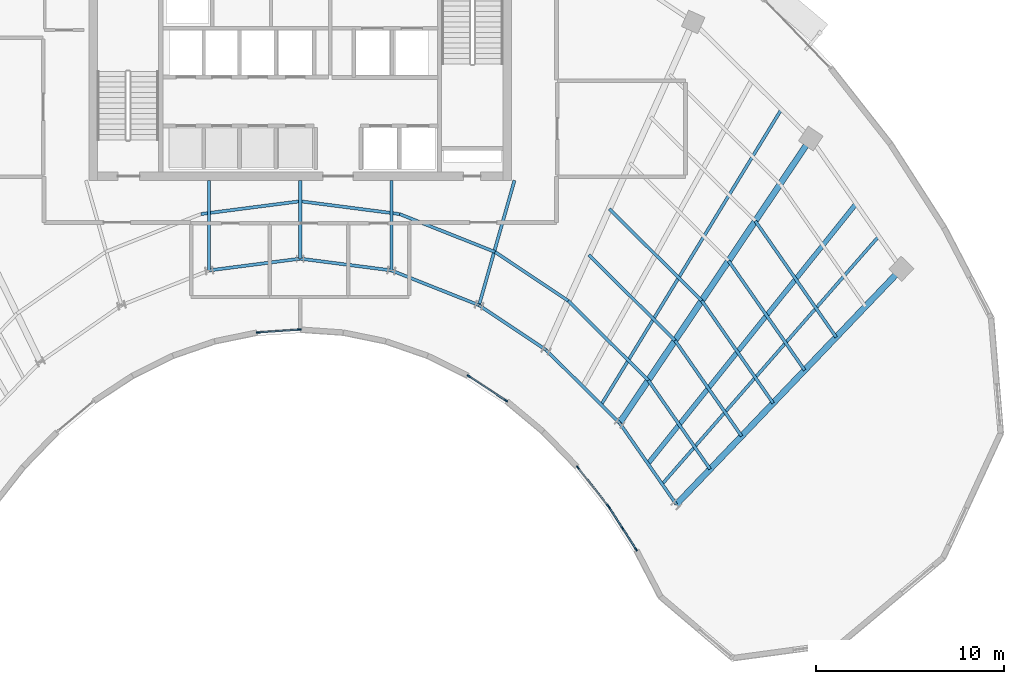
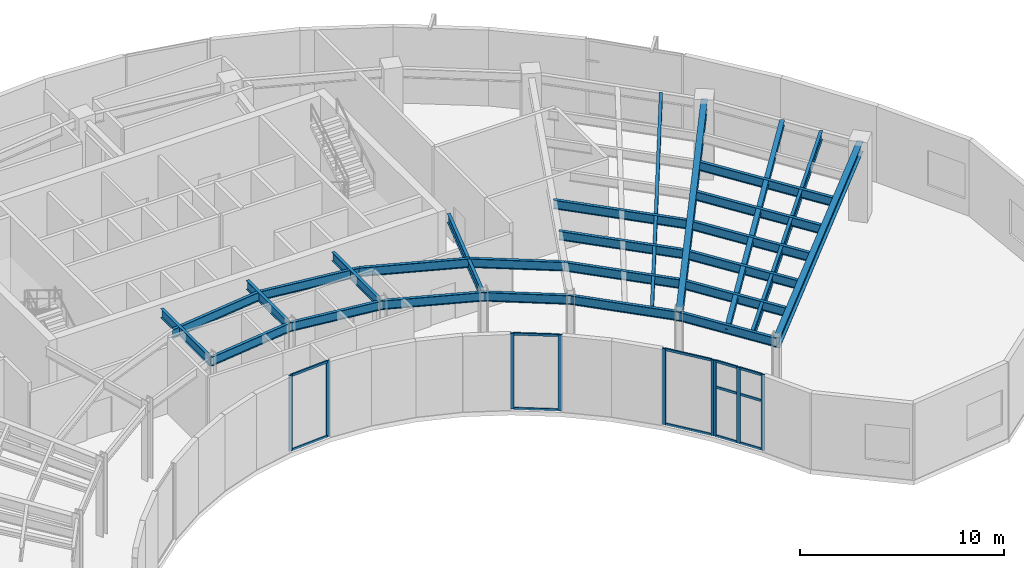
# One storey, part 3 of 15: 27 beams, 21 members, 4 elements without a shape of their own.
"""IFC4 building model written with IfcOpenShell, lengths in metres."""

from ifc_helpers import new_model, si_unit, direction, frame, origin, origin_2d, place, context, subcontext, project, spatial, rectangle, i_section, extrude, source, transform, mapped, material, layer, layer_set, material_profile, profile_set, type_object, type_shapes, element, aggregate, save


model = new_model("IFC4")

# Units and contexts
model_context = context("Model", 3, precision=1e-05, world=origin(), true_north=direction((0.0, 1.0)))
body_context = subcontext(model_context, "Body", "Model", "MODEL_VIEW")
ifc_project = project(units=[si_unit("LENGTHUNIT", "METRE"), si_unit("AREAUNIT", "SQUARE_METRE"), si_unit("VOLUMEUNIT", "CUBIC_METRE"), si_unit("PLANEANGLEUNIT", "RADIAN"), si_unit("MASSUNIT", "GRAM", prefix="KILO")], contexts=[model_context])

# Site, building, storey
site_placement = place(None, origin())
site = spatial("IfcSite", under=ifc_project, at=site_placement, CompositionType="ELEMENT")
building_placement = place(site_placement, origin())
building = spatial("IfcBuilding", under=site, at=building_placement, Name="Breltana Convention Tower", CompositionType="ELEMENT")
storey_placement = place(building_placement, frame((0.0, 0.0, 199.199951171875)))
storey = spatial("IfcBuildingStorey", under=building, at=storey_placement, Name="L48", CompositionType="ELEMENT", Elevation=199.199951171875)

# Beams
ifc_material_1 = material(Name="Steel ASTM A992 Grade 50", Category="steel")
ifc_material_profile_1 = material_profile(ifc_material_1, i_section(OverallWidth=0.166015625, OverallDepth=0.534912109375, WebThickness=0.01025390625, FlangeThickness=0.0166015625, at=origin_2d()), Name="W21X57")
ifc_profile_set_1 = profile_set([ifc_material_profile_1], Name="Steel ASTM A992 Grade 50")
beam_type_1 = type_object("IfcBeamType", Name="BM-JSG-05", PredefinedType="JOIST", material=ifc_profile_set_1)
shared_shape_1 = source(origin(), body_context, "Body", "SweptSolid", [
    extrude(i_section(OverallWidth=0.166015625, OverallDepth=0.534912109375, WebThickness=0.01025390625, FlangeThickness=0.0166015625, at=origin_2d()), origin(), (0.0, 0.0, 1.0), 18.409423828125),
])
beam_1_placement = place(storey_placement, frame((64.017333984375, 48.263916015625, 4.2724609375), z_axis=(0.520682167606, 0.853750596098, 0.0), x_axis=(-0.853750596098, 0.520682167606, 0.0)))
element("IfcBeam", 1, at=beam_1_placement, inside=storey, type_object=beam_type_1, Name="L48 Quarter-Bay Radial Trimmer 09", PredefinedType="JOIST", context=body_context, shape_type="MappedRepresentation", body=[
    mapped(shared_shape_1, transform((0.0, 0.0, 0.0), scale=1.0)),
])
ifc_material_profile_2 = material_profile(ifc_material_1, i_section(OverallWidth=0.25390625, OverallDepth=0.305908203125, WebThickness=0.0087890625, FlangeThickness=0.0146484375, at=origin_2d()), Name="W12X53")
ifc_profile_set_2 = profile_set([ifc_material_profile_2], Name="Steel ASTM A992 Grade 50")
beam_type_2 = type_object("IfcBeamType", Name="BM-JSG-10", PredefinedType="JOIST", material=ifc_profile_set_2)
shared_shape_2 = source(origin(), body_context, "Body", "SweptSolid", [
    extrude(i_section(OverallWidth=0.25390625, OverallDepth=0.305908203125, WebThickness=0.0087890625, FlangeThickness=0.0146484375, at=origin_2d()), origin(), (0.0, 0.0, 1.0), 17.7236328125),
])
beam_2_placement = place(storey_placement, frame((66.505615234375, 45.124267578125, 4.386962890625), z_axis=(0.624829427563, 0.78076128647, 0.0), x_axis=(-0.78076128647, 0.624829427563, 0.0)))
element("IfcBeam", 2, at=beam_2_placement, inside=storey, type_object=beam_type_2, Name="L48 Mid-Bay Radial Trimmer 10", PredefinedType="JOIST", context=body_context, shape_type="MappedRepresentation", body=[
    mapped(shared_shape_2, transform((0.0, 0.0, 0.0), scale=1.0)),
])
shared_shape_3 = source(origin(), body_context, "Body", "SweptSolid", [
    extrude(i_section(OverallWidth=0.166015625, OverallDepth=0.534912109375, WebThickness=0.01025390625, FlangeThickness=0.0166015625, at=origin_2d()), origin(), (0.0, 0.0, 1.0), 17.515625),
])
beam_3_placement = place(storey_placement, frame((67.260498046875, 44.03955078125, 4.2724609375), z_axis=(0.658051548324, 0.752972881151, 0.0), x_axis=(-0.752972881151, 0.658051548324, 0.0)))
element("IfcBeam", 3, at=beam_3_placement, inside=storey, type_object=beam_type_1, Name="L48 Quarter-Bay Radial Trimmer 10", PredefinedType="JOIST", context=body_context, shape_type="MappedRepresentation", body=[
    mapped(shared_shape_3, transform((0.0, 0.0, 0.0), scale=1.0)),
])
ifc_material_profile_3 = material_profile(ifc_material_1, i_section(OverallWidth=0.166015625, OverallDepth=0.534912109375, WebThickness=0.01025390625, FlangeThickness=0.0166015625, at=origin_2d()), Name="W21X57")
ifc_profile_set_3 = profile_set([ifc_material_profile_3], Name="Steel ASTM A992 Grade 50")
beam_type_3 = type_object("IfcBeamType", Name="BM-BM-W21X57", PredefinedType="BEAM", material=ifc_profile_set_3)
shared_shape_4 = source(origin(), body_context, "Body", "SweptSolid", [
    extrude(i_section(OverallWidth=0.166015625, OverallDepth=0.534912109375, WebThickness=0.01025390625, FlangeThickness=0.0166015625, at=origin_2d()), origin(), (0.0, 0.0, 1.0), 6.904541015625),
])
type_shapes(beam_type_3, [shared_shape_4])
beam_4_placement = place(storey_placement, frame((59.39990234375, 60.199951171875, 4.2724609375), z_axis=(-0.273006781054, -0.962012108811, 0.0), x_axis=(0.962012108811, -0.273006781054, 0.0)))
element("IfcBeam", 4, at=beam_4_placement, inside=storey, type_object=beam_type_3, Name="L48 South Core Tie Girder R08", PredefinedType="BEAM", context=body_context, shape_type="MappedRepresentation", body=[
    mapped(shared_shape_4, transform((0.0, 0.0, 0.0), scale=1.0)),
])
shared_shape_5 = source(origin(), body_context, "Body", "SweptSolid", [
    extrude(i_section(OverallWidth=0.166015625, OverallDepth=0.534912109375, WebThickness=0.01025390625, FlangeThickness=0.0166015625, at=origin_2d()), origin(), (0.0, 0.0, 1.0), 4.789306640625),
])
for number, where, z_axis, x_axis, name in (
    (5, (43.153564453125, 60.199951171875, 4.2724609375), (0.0, -1.0, 0.0), (1.0, 0.0, 0.0), "L48 South Core Tie Girder R05"),
    (6, (52.846435546875, 60.199951171875, 4.2724609375), (0.0, -1.0, 0.0), (1.0, 0.0, 0.0), "L48 South Core Tie Girder R07"),
):
    element("IfcBeam", number, at=place(storey_placement, frame(where, z_axis=z_axis, x_axis=x_axis)), inside=storey, type_object=beam_type_3, Name=name, PredefinedType="BEAM", context=body_context, shape_type="MappedRepresentation", body=[
        mapped(shared_shape_5, transform((0.0, 0.0, 0.0), scale=1.0)),
    ])
shared_shape_6 = source(origin(), body_context, "Body", "SweptSolid", [
    extrude(i_section(OverallWidth=0.166015625, OverallDepth=0.534912109375, WebThickness=0.01025390625, FlangeThickness=0.0166015625, at=origin_2d()), origin(), (0.0, 0.0, 1.0), 4.1640625),
])
beam_5_placement = place(storey_placement, frame((48.0, 60.199951171875, 4.2724609375), z_axis=(0.0, -1.0, 0.0), x_axis=(1.0, 0.0, 0.0)))
element("IfcBeam", 7, at=beam_5_placement, inside=storey, type_object=beam_type_3, Name="L48 South Core Tie Girder R06", PredefinedType="BEAM", context=body_context, shape_type="MappedRepresentation", body=[
    mapped(shared_shape_6, transform((0.0, 0.0, 0.0), scale=1.0)),
])
shared_shape_7 = source(origin(), body_context, "Body", "SweptSolid", [
    extrude(i_section(OverallWidth=0.166015625, OverallDepth=0.534912109375, WebThickness=0.01025390625, FlangeThickness=0.0166015625, at=origin_2d()), origin(), (0.0, 0.0, 1.0), 5.022705078125),
])
beam_6_placement = place(storey_placement, frame((52.846435546875, 55.41064453125, 4.2724609375), z_axis=(0.929458966248, -0.368925507469, 0.0), x_axis=(0.368925507469, 0.929458966248, 0.0)))
element("IfcBeam", 8, at=beam_6_placement, inside=storey, type_object=beam_type_3, Name="L48 Inner Ring Beam 07", PredefinedType="BEAM", context=body_context, shape_type="MappedRepresentation", body=[
    mapped(shared_shape_7, transform((0.0, 0.0, 0.0), scale=1.0)),
])
shared_shape_8 = source(origin(), body_context, "Body", "SweptSolid", [
    extrude(i_section(OverallWidth=0.166015625, OverallDepth=0.534912109375, WebThickness=0.01025390625, FlangeThickness=0.0166015625, at=origin_2d()), origin(), (0.0, 0.0, 1.0), 4.88671875),
])
for number, where, z_axis, x_axis, name in (
    (9, (43.153564453125, 55.41064453125, 4.2724609375), (0.991780525565, 0.127950729231, 0.0), (-0.127950729231, 0.991780525565, 0.0), "L48 Inner Ring Beam 05"),
    (10, (48.0, 56.035888671875, 4.2724609375), (0.991780525565, -0.127950729231, 0.0), (0.127950729231, 0.991780525565, 0.0), "L48 Inner Ring Beam 06"),
):
    element("IfcBeam", number, at=place(storey_placement, frame(where, z_axis=z_axis, x_axis=x_axis)), inside=storey, type_object=beam_type_3, Name=name, PredefinedType="BEAM", context=body_context, shape_type="MappedRepresentation", body=[
        mapped(shared_shape_8, transform((0.0, 0.0, 0.0), scale=1.0)),
    ])
shared_shape_9 = source(origin(), body_context, "Body", "SweptSolid", [
    extrude(i_section(OverallWidth=0.166015625, OverallDepth=0.534912109375, WebThickness=0.01025390625, FlangeThickness=0.0166015625, at=origin_2d()), origin(), (0.0, 0.0, 1.0), 4.2900390625),
])
beam_7_placement = place(storey_placement, frame((57.514892578125, 53.5576171875, 4.2724609375), z_axis=(0.831515827753, -0.555501060482, 0.0), x_axis=(0.555501060482, 0.831515827753, 0.0)))
element("IfcBeam", 11, at=beam_7_placement, inside=storey, type_object=beam_type_3, Name="L48 Inner Ring Beam 08", PredefinedType="BEAM", context=body_context, shape_type="MappedRepresentation", body=[
    mapped(shared_shape_9, transform((0.0, 0.0, 0.0), scale=1.0)),
])
shared_shape_10 = source(origin(), body_context, "Body", "SweptSolid", [
    extrude(i_section(OverallWidth=0.166015625, OverallDepth=0.534912109375, WebThickness=0.01025390625, FlangeThickness=0.0166015625, at=origin_2d()), origin(), (0.0, 0.0, 1.0), 5.51171875),
])
beam_8_placement = place(storey_placement, frame((61.08203125, 51.174560546875, 4.2724609375), z_axis=(0.710090360749, -0.704110559196, 0.0), x_axis=(0.704110559196, 0.710090360749, 0.0)))
element("IfcBeam", 12, at=beam_8_placement, inside=storey, type_object=beam_type_3, Name="L48 Inner Ring Beam 09", PredefinedType="BEAM", context=body_context, shape_type="MappedRepresentation", body=[
    mapped(shared_shape_10, transform((0.0, 0.0, 0.0), scale=1.0)),
])
shared_shape_11 = source(origin(), body_context, "Body", "SweptSolid", [
    extrude(i_section(OverallWidth=0.166015625, OverallDepth=0.534912109375, WebThickness=0.01025390625, FlangeThickness=0.0166015625, at=origin_2d()), origin(), (0.0, 0.0, 1.0), 5.286376953125),
])
beam_9_placement = place(storey_placement, frame((64.995849609375, 47.293701171875, 4.2724609375), z_axis=(0.571194382458, -0.82081482531, 0.0), x_axis=(0.82081482531, 0.571194382458, 0.0)))
element("IfcBeam", 13, at=beam_9_placement, inside=storey, type_object=beam_type_3, Name="L48 Inner Ring Beam 10", PredefinedType="BEAM", context=body_context, shape_type="MappedRepresentation", body=[
    mapped(shared_shape_11, transform((0.0, 0.0, 0.0), scale=1.0)),
])
shared_shape_12 = source(origin(), body_context, "Body", "SweptSolid", [
    extrude(i_section(OverallWidth=0.166015625, OverallDepth=0.534912109375, WebThickness=0.01025390625, FlangeThickness=0.0166015625, at=origin_2d()), origin(), (0.0, 0.0, 1.0), 5.473876953125),
])
beam_10_placement = place(storey_placement, frame((53.281494140625, 58.409912109375, 4.2724609375), z_axis=(0.92945162863, -0.368943993091, 0.0), x_axis=(0.368943993091, 0.92945162863, 0.0)))
element("IfcBeam", 14, at=beam_10_placement, inside=storey, type_object=beam_type_1, Name="L48 Composite Floor Joist 07.1", PredefinedType="JOIST", context=body_context, shape_type="MappedRepresentation", body=[
    mapped(shared_shape_12, transform((0.0, 0.0, 0.0), scale=1.0)),
])
shared_shape_13 = source(origin(), body_context, "Body", "SweptSolid", [
    extrude(i_section(OverallWidth=0.166015625, OverallDepth=0.534912109375, WebThickness=0.01025390625, FlangeThickness=0.0166015625, at=origin_2d()), origin(), (0.0, 0.0, 1.0), 5.3251953125),
])
for number, where, z_axis, x_axis, name in (
    (15, (42.718505859375, 58.409912109375, 4.2724609375), (0.991779931204, 0.127955336199, 0.0), (-0.127955336199, 0.991779931204, 0.0), "L48 Composite Floor Joist 05.1"),
    (16, (48.0, 59.09130859375, 4.2724609375), (0.991779931204, -0.127955336199, 0.0), (0.127955336199, 0.991779931204, 0.0), "L48 Composite Floor Joist 06.1"),
):
    element("IfcBeam", number, at=place(storey_placement, frame(where, z_axis=z_axis, x_axis=x_axis)), inside=storey, type_object=beam_type_1, Name=name, PredefinedType="JOIST", context=body_context, shape_type="MappedRepresentation", body=[
        mapped(shared_shape_13, transform((0.0, 0.0, 0.0), scale=1.0)),
    ])
shared_shape_14 = source(origin(), body_context, "Body", "SweptSolid", [
    extrude(i_section(OverallWidth=0.166015625, OverallDepth=0.534912109375, WebThickness=0.01025390625, FlangeThickness=0.0166015625, at=origin_2d()), origin(), (0.0, 0.0, 1.0), 4.675048828125),
])
beam_11_placement = place(storey_placement, frame((58.369140625, 56.390380859375, 4.2724609375), z_axis=(0.831487469976, -0.555543506193, 0.0), x_axis=(0.555543506193, 0.831487469976, 0.0)))
element("IfcBeam", 17, at=beam_11_placement, inside=storey, type_object=beam_type_1, Name="L48 Composite Floor Joist 08.1", PredefinedType="JOIST", context=body_context, shape_type="MappedRepresentation", body=[
    mapped(shared_shape_14, transform((0.0, 0.0, 0.0), scale=1.0)),
])
shared_shape_15 = source(origin(), body_context, "Body", "SweptSolid", [
    extrude(i_section(OverallWidth=0.166015625, OverallDepth=0.534912109375, WebThickness=0.01025390625, FlangeThickness=0.0166015625, at=origin_2d()), origin(), (0.0, 0.0, 1.0), 6.00634765625),
])
beam_12_placement = place(storey_placement, frame((62.25634765625, 53.793212890625, 4.2724609375), z_axis=(0.710108283635, -0.704092483636, 0.0), x_axis=(0.704092483636, 0.710108283635, 0.0)))
element("IfcBeam", 18, at=beam_12_placement, inside=storey, type_object=beam_type_1, Name="L48 Composite Floor Joist 09.1", PredefinedType="JOIST", context=body_context, shape_type="MappedRepresentation", body=[
    mapped(shared_shape_15, transform((0.0, 0.0, 0.0), scale=1.0)),
])
shared_shape_16 = source(origin(), body_context, "Body", "SweptSolid", [
    extrude(i_section(OverallWidth=0.166015625, OverallDepth=0.534912109375, WebThickness=0.01025390625, FlangeThickness=0.0166015625, at=origin_2d()), origin(), (0.0, 0.0, 1.0), 6.468017578125),
])
beam_13_placement = place(storey_placement, frame((63.352294921875, 56.237548828125, 4.2724609375), z_axis=(0.710101160442, -0.704099667617, 0.0), x_axis=(0.704099667617, 0.710101160442, 0.0)))
element("IfcBeam", 19, at=beam_13_placement, inside=storey, type_object=beam_type_1, Name="L48 Composite Floor Joist 09.2", PredefinedType="JOIST", context=body_context, shape_type="MappedRepresentation", body=[
    mapped(shared_shape_16, transform((0.0, 0.0, 0.0), scale=1.0)),
])
shared_shape_17 = source(origin(), body_context, "Body", "SweptSolid", [
    extrude(i_section(OverallWidth=0.166015625, OverallDepth=0.534912109375, WebThickness=0.01025390625, FlangeThickness=0.0166015625, at=origin_2d()), origin(), (0.0, 0.0, 1.0), 6.93017578125),
])
beam_14_placement = place(storey_placement, frame((64.4482421875, 58.681884765625, 4.2724609375), z_axis=(0.710112451674, -0.70408827996, 0.0), x_axis=(0.70408827996, 0.710112451674, 0.0)))
element("IfcBeam", 20, at=beam_14_placement, inside=storey, type_object=beam_type_1, Name="L48 Composite Floor Joist 09.3", PredefinedType="JOIST", context=body_context, shape_type="MappedRepresentation", body=[
    mapped(shared_shape_17, transform((0.0, 0.0, 0.0), scale=1.0)),
])
shared_shape_18 = source(origin(), body_context, "Body", "SweptSolid", [
    extrude(i_section(OverallWidth=0.166015625, OverallDepth=0.534912109375, WebThickness=0.01025390625, FlangeThickness=0.0166015625, at=origin_2d()), origin(), (0.0, 0.0, 1.0), 5.760986328125),
])
beam_15_placement = place(storey_placement, frame((66.521484375, 49.564208984375, 4.2724609375), z_axis=(0.571224653223, -0.820793759449, 0.0), x_axis=(0.820793759449, 0.571224653223, 0.0)))
element("IfcBeam", 21, at=beam_15_placement, inside=storey, type_object=beam_type_1, Name="L48 Composite Floor Joist 10.1", PredefinedType="JOIST", context=body_context, shape_type="MappedRepresentation", body=[
    mapped(shared_shape_18, transform((0.0, 0.0, 0.0), scale=1.0)),
])
shared_shape_19 = source(origin(), body_context, "Body", "SweptSolid", [
    extrude(i_section(OverallWidth=0.166015625, OverallDepth=0.534912109375, WebThickness=0.01025390625, FlangeThickness=0.0166015625, at=origin_2d()), origin(), (0.0, 0.0, 1.0), 6.203857421875),
])
beam_16_placement = place(storey_placement, frame((67.9453125, 51.683349609375, 4.2724609375), z_axis=(0.571217832032, -0.820798506558, 0.0), x_axis=(0.820798506558, 0.571217832032, 0.0)))
element("IfcBeam", 22, at=beam_16_placement, inside=storey, type_object=beam_type_1, Name="L48 Composite Floor Joist 10.2", PredefinedType="JOIST", context=body_context, shape_type="MappedRepresentation", body=[
    mapped(shared_shape_19, transform((0.0, 0.0, 0.0), scale=1.0)),
])
shared_shape_20 = source(origin(), body_context, "Body", "SweptSolid", [
    extrude(i_section(OverallWidth=0.166015625, OverallDepth=0.534912109375, WebThickness=0.01025390625, FlangeThickness=0.0166015625, at=origin_2d()), origin(), (0.0, 0.0, 1.0), 6.646728515625),
])
beam_17_placement = place(storey_placement, frame((69.369384765625, 53.802490234375, 4.2724609375), z_axis=(0.571194698527, -0.820814605362, 0.0), x_axis=(0.820814605362, 0.571194698527, 0.0)))
element("IfcBeam", 23, at=beam_17_placement, inside=storey, type_object=beam_type_1, Name="L48 Composite Floor Joist 10.3", PredefinedType="JOIST", context=body_context, shape_type="MappedRepresentation", body=[
    mapped(shared_shape_20, transform((0.0, 0.0, 0.0), scale=1.0)),
])
shared_shape_21 = source(origin(), body_context, "Body", "SweptSolid", [
    extrude(i_section(OverallWidth=0.166015625, OverallDepth=0.534912109375, WebThickness=0.01025390625, FlangeThickness=0.0166015625, at=origin_2d()), origin(), (0.0, 0.0, 1.0), 7.089599609375),
])
beam_18_placement = place(storey_placement, frame((70.793212890625, 55.92138671875, 4.2724609375), z_axis=(0.571206746165, -0.820806221429, 0.0), x_axis=(0.820806221429, 0.571206746165, 0.0)))
element("IfcBeam", 24, at=beam_18_placement, inside=storey, type_object=beam_type_1, Name="L48 Composite Floor Joist 10.4", PredefinedType="JOIST", context=body_context, shape_type="MappedRepresentation", body=[
    mapped(shared_shape_21, transform((0.0, 0.0, 0.0), scale=1.0)),
])
shared_shape_22 = source(origin(), body_context, "Body", "SweptSolid", [
    extrude(i_section(OverallWidth=0.166015625, OverallDepth=0.534912109375, WebThickness=0.01025390625, FlangeThickness=0.0166015625, at=origin_2d()), origin(), (0.0, 0.0, 1.0), 7.5322265625),
])
beam_19_placement = place(storey_placement, frame((72.21728515625, 58.04052734375, 4.2724609375), z_axis=(0.57120218088, -0.820809398434, 0.0), x_axis=(0.820809398434, 0.57120218088, 0.0)))
element("IfcBeam", 25, at=beam_19_placement, inside=storey, type_object=beam_type_1, Name="L48 Composite Floor Joist 10.5", PredefinedType="JOIST", context=body_context, shape_type="MappedRepresentation", body=[
    mapped(shared_shape_22, transform((0.0, 0.0, 0.0), scale=1.0)),
])
ifc_material_profile_4 = material_profile(ifc_material_1, i_section(OverallWidth=0.326904296875, OverallDepth=0.6220703125, WebThickness=0.015380859375, FlangeThickness=0.0244140625, at=origin_2d()), Name="W24X131")
ifc_profile_set_4 = profile_set([ifc_material_profile_4], Name="Steel ASTM A992 Grade 50")
beam_type_4 = type_object("IfcBeamType", Name="BM-RG-W24X131", PredefinedType="USERDEFINED", material=ifc_profile_set_4)
shared_shape_23 = source(origin(), body_context, "Body", "SweptSolid", [
    extrude(i_section(OverallWidth=0.326904296875, OverallDepth=0.6220703125, WebThickness=0.015380859375, FlangeThickness=0.0244140625, at=origin_2d()), origin(), (0.0, 0.0, 1.0), 17.341064453125),
])
type_shapes(beam_type_4, [shared_shape_23])
beam_20_placement = place(storey_placement, frame((68.015380859375, 42.95458984375, 4.22900390625), z_axis=(0.690716462293, 0.723125693581, 0.0), x_axis=(-0.723125693581, 0.690716462293, 0.0)))
element("IfcBeam", 26, at=beam_20_placement, inside=storey, type_object=beam_type_4, Name="L48 Radial Floor Girder R11", ObjectType="GIRDER", PredefinedType="USERDEFINED", context=body_context, shape_type="MappedRepresentation", body=[
    mapped(shared_shape_23, transform((0.0, 0.0, 0.0), scale=1.0)),
])
shared_shape_24 = source(origin(), body_context, "Body", "SweptSolid", [
    extrude(i_section(OverallWidth=0.326904296875, OverallDepth=0.6220703125, WebThickness=0.015380859375, FlangeThickness=0.0244140625, at=origin_2d()), origin(), (0.0, 0.0, 1.0), 18.236328125),
])
beam_21_placement = place(storey_placement, frame((64.995849609375, 47.293701171875, 4.22900390625), z_axis=(0.557730360975, 0.830022195153, 0.0), x_axis=(-0.830022195153, 0.557730360975, 0.0)))
element("IfcBeam", 27, at=beam_21_placement, inside=storey, type_object=beam_type_4, Name="L48 Radial Floor Girder R10", ObjectType="GIRDER", PredefinedType="USERDEFINED", context=body_context, shape_type="MappedRepresentation", body=[
    mapped(shared_shape_24, transform((0.0, 0.0, 0.0), scale=1.0)),
])

# Curtain wall, members
ifc_material_2 = material(Name="Aluminium Anodised Bronze Frame", Category="aluminium")
ifc_layer = layer(ifc_material_2, 0.18994140625, Name="Aluminium Anodised Bronze Frame")
ifc_layer_set = layer_set([ifc_layer], Name="Aluminium Anodised Bronze Frame")
curtain_wall_type = type_object("IfcCurtainWallType", Name="CW-SYS-1", PredefinedType="NOTDEFINED", material=ifc_layer_set)
curtain_wall_1_placement = place(storey_placement, origin())
curtain_wall_1 = element("IfcCurtainWall", 28, at=curtain_wall_1_placement, inside=storey, type_object=curtain_wall_type, Name="L48 inner south-court glazing 1", PredefinedType="NOTDEFINED")
ifc_material_3 = material(Name="Aluminium Anodised Bronze", Category="aluminium")
ifc_material_profile_5 = material_profile(ifc_material_3, rectangle(XDim=0.080078125, YDim=0.199951171875, at=origin_2d()), Name="CWM-80X200")
ifc_profile_set_5 = profile_set([ifc_material_profile_5], Name="Aluminium Anodised Bronze")
member_type_1 = type_object("IfcMemberType", Name="CWM-200", PredefinedType="MULLION", material=ifc_profile_set_5)
shared_shape_25 = source(origin(), body_context, "Body", "SweptSolid", [
    extrude(rectangle(XDim=0.080078125, YDim=0.199951171875, at=origin_2d()), origin(), (0.0, 0.0, 1.0), 4.5400390625),
])
member_1_placement = place(storey_placement, frame((65.868896484375, 40.56884765625, 0.0), z_axis=(0.0, 0.0, 1.0), x_axis=(-0.841546766968, -0.540184263938, 0.0)))
member_1 = element("IfcMember", 29, at=member_1_placement, type_object=member_type_1, Name="CW-01 mullion 1", PredefinedType="MULLION", context=body_context, shape_type="MappedRepresentation", body=[
    mapped(shared_shape_25, transform((0.0, 0.0, 0.0), scale=1.0)),
])
member_2_placement = place(storey_placement, frame((65.14990234375, 41.689208984375, 0.0), z_axis=(0.0, 0.0, 1.0), x_axis=(-0.841546766968, -0.540184263938, 0.0)))
member_2 = element("IfcMember", 30, at=member_2_placement, type_object=member_type_1, Name="CW-01 mullion 2", PredefinedType="MULLION", context=body_context, shape_type="MappedRepresentation", body=[
    mapped(shared_shape_25, transform((0.0, 0.0, 0.0), scale=1.0)),
])
member_3_placement = place(storey_placement, frame((64.430908203125, 42.809326171875, 0.0), z_axis=(0.0, 0.0, 1.0), x_axis=(-0.841546766968, -0.540184263938, 0.0)))
member_3 = element("IfcMember", 31, at=member_3_placement, type_object=member_type_1, Name="CW-01 mullion 3", PredefinedType="MULLION", context=body_context, shape_type="MappedRepresentation", body=[
    mapped(shared_shape_25, transform((0.0, 0.0, 0.0), scale=1.0)),
])

curtain_wall_2_placement = place(storey_placement, origin())
curtain_wall_2 = element("IfcCurtainWall", 32, at=curtain_wall_2_placement, inside=storey, type_object=curtain_wall_type, Name="L48 inner south-court glazing 2", PredefinedType="NOTDEFINED")
member_4_placement = place(storey_placement, frame((64.37451171875, 42.888427734375, 0.0), z_axis=(0.0, 0.0, 1.0), x_axis=(-0.786060526937, -0.6181495353, 0.0)))
member_4 = element("IfcMember", 33, at=member_4_placement, type_object=member_type_1, Name="CW-01 mullion 1", PredefinedType="MULLION", context=body_context, shape_type="MappedRepresentation", body=[
    mapped(shared_shape_25, transform((0.0, 0.0, 0.0), scale=1.0)),
])
member_5_placement = place(storey_placement, frame((62.776123046875, 44.921142578125, 0.0), z_axis=(0.0, 0.0, 1.0), x_axis=(-0.786060526937, -0.6181495353, 0.0)))
member_5 = element("IfcMember", 34, at=member_5_placement, type_object=member_type_1, Name="CW-01 mullion 2", PredefinedType="MULLION", context=body_context, shape_type="MappedRepresentation", body=[
    mapped(shared_shape_25, transform((0.0, 0.0, 0.0), scale=1.0)),
])

curtain_wall_3_placement = place(storey_placement, origin())
curtain_wall_3 = element("IfcCurtainWall", 35, at=curtain_wall_3_placement, inside=storey, type_object=curtain_wall_type, Name="L48 inner south-court glazing 3", PredefinedType="NOTDEFINED")
member_6_placement = place(storey_placement, frame((58.949462890625, 48.483642578125, 0.0), z_axis=(0.0, 0.0, 1.0), x_axis=(-0.548756690502, -0.835982113821, 0.0)))
member_6 = element("IfcMember", 36, at=member_6_placement, type_object=member_type_1, Name="CW-01 mullion 1", PredefinedType="MULLION", context=body_context, shape_type="MappedRepresentation", body=[
    mapped(shared_shape_25, transform((0.0, 0.0, 0.0), scale=1.0)),
])
member_7_placement = place(storey_placement, frame((56.976318359375, 49.77880859375, 0.0), z_axis=(0.0, 0.0, 1.0), x_axis=(-0.548756690502, -0.835982113821, 0.0)))
member_7 = element("IfcMember", 37, at=member_7_placement, type_object=member_type_1, Name="CW-01 mullion 2", PredefinedType="MULLION", context=body_context, shape_type="MappedRepresentation", body=[
    mapped(shared_shape_25, transform((0.0, 0.0, 0.0), scale=1.0)),
])

curtain_wall_4_placement = place(storey_placement, origin())
curtain_wall_4 = element("IfcCurtainWall", 38, at=curtain_wall_4_placement, inside=storey, type_object=curtain_wall_type, Name="L48 inner south-court glazing 4", PredefinedType="NOTDEFINED")
member_8_placement = place(storey_placement, frame((47.947998046875, 52.260009765625, 0.0), z_axis=(0.0, 0.0, 1.0), x_axis=(0.067724435121, -0.997704064785, 0.0)))
member_8 = element("IfcMember", 39, at=member_8_placement, type_object=member_type_1, Name="CW-01 mullion 1", PredefinedType="MULLION", context=body_context, shape_type="MappedRepresentation", body=[
    mapped(shared_shape_25, transform((0.0, 0.0, 0.0), scale=1.0)),
])
member_9_placement = place(storey_placement, frame((45.759033203125, 52.111328125, 0.0), z_axis=(0.0, 0.0, 1.0), x_axis=(0.067724435121, -0.997704064785, 0.0)))
member_9 = element("IfcMember", 40, at=member_9_placement, type_object=member_type_1, Name="CW-01 mullion 2", PredefinedType="MULLION", context=body_context, shape_type="MappedRepresentation", body=[
    mapped(shared_shape_25, transform((0.0, 0.0, 0.0), scale=1.0)),
])

# Member
ifc_material_profile_6 = material_profile(ifc_material_3, rectangle(XDim=0.080078125, YDim=0.139892578125, at=origin_2d()), Name="CWT-80X140")
ifc_profile_set_6 = profile_set([ifc_material_profile_6], Name="Aluminium Anodised Bronze")
member_type_2 = type_object("IfcMemberType", Name="CWT-140", PredefinedType="USERDEFINED", material=ifc_profile_set_6)
shared_shape_26 = source(origin(), body_context, "Body", "SweptSolid", [
    extrude(rectangle(XDim=0.080078125, YDim=0.139892578125, at=origin_2d()), origin(), (0.0, 0.0, 1.0), 1.251220703125),
])
member_10_placement = place(storey_placement, frame((65.84716796875, 40.6025390625, 0.0400390625), z_axis=(-0.540116397582, 0.841590326146, 0.0), x_axis=(-0.841590326146, -0.540116397582, 0.0)))
member_10 = element("IfcMember", 41, at=member_10_placement, type_object=member_type_2, Name="CW-01 transom 1.1", ObjectType="TRANSOM", PredefinedType="USERDEFINED", context=body_context, shape_type="MappedRepresentation", body=[
    mapped(shared_shape_26, transform((0.0, 0.0, 0.0), scale=1.0)),
])

member_11_placement = place(storey_placement, frame((65.84716796875, 40.6025390625, 2.950927734375), z_axis=(-0.540116397582, 0.841590326146, 0.0), x_axis=(-0.841590326146, -0.540116397582, 0.0)))
member_11 = element("IfcMember", 42, at=member_11_placement, type_object=member_type_2, Name="CW-01 transom 1.2", ObjectType="TRANSOM", PredefinedType="USERDEFINED", context=body_context, shape_type="MappedRepresentation", body=[
    mapped(shared_shape_26, transform((0.0, 0.0, 0.0), scale=1.0)),
])

member_12_placement = place(storey_placement, frame((65.84716796875, 40.6025390625, 4.5), z_axis=(-0.540116397582, 0.841590326146, 0.0), x_axis=(-0.841590326146, -0.540116397582, 0.0)))
member_12 = element("IfcMember", 43, at=member_12_placement, type_object=member_type_2, Name="CW-01 transom 1.3", ObjectType="TRANSOM", PredefinedType="USERDEFINED", context=body_context, shape_type="MappedRepresentation", body=[
    mapped(shared_shape_26, transform((0.0, 0.0, 0.0), scale=1.0)),
])

shared_shape_27 = source(origin(), body_context, "Body", "SweptSolid", [
    extrude(rectangle(XDim=0.080078125, YDim=0.139892578125, at=origin_2d()), origin(), (0.0, 0.0, 1.0), 1.2509765625),
])
member_13_placement = place(storey_placement, frame((65.128173828125, 41.722900390625, 0.0400390625), z_axis=(-0.54020510624, 0.841533388044, 0.0), x_axis=(-0.841533388044, -0.54020510624, 0.0)))
member_13 = element("IfcMember", 44, at=member_13_placement, type_object=member_type_2, Name="CW-01 transom 2.1", ObjectType="TRANSOM", PredefinedType="USERDEFINED", context=body_context, shape_type="MappedRepresentation", body=[
    mapped(shared_shape_27, transform((0.0, 0.0, 0.0), scale=1.0)),
])

member_14_placement = place(storey_placement, frame((65.128173828125, 41.722900390625, 2.950927734375), z_axis=(-0.54020510624, 0.841533388044, 0.0), x_axis=(-0.841533388044, -0.54020510624, 0.0)))
member_14 = element("IfcMember", 45, at=member_14_placement, type_object=member_type_2, Name="CW-01 transom 2.2", ObjectType="TRANSOM", PredefinedType="USERDEFINED", context=body_context, shape_type="MappedRepresentation", body=[
    mapped(shared_shape_27, transform((0.0, 0.0, 0.0), scale=1.0)),
])

member_15_placement = place(storey_placement, frame((65.128173828125, 41.722900390625, 4.5), z_axis=(-0.54020510624, 0.841533388044, 0.0), x_axis=(-0.841533388044, -0.54020510624, 0.0)))
member_15 = element("IfcMember", 46, at=member_15_placement, type_object=member_type_2, Name="CW-01 transom 2.3", ObjectType="TRANSOM", PredefinedType="USERDEFINED", context=body_context, shape_type="MappedRepresentation", body=[
    mapped(shared_shape_27, transform((0.0, 0.0, 0.0), scale=1.0)),
])

aggregate(curtain_wall_1, [member_1, member_2, member_3, member_10, member_11, member_12, member_13, member_14, member_15])

shared_shape_28 = source(origin(), body_context, "Body", "SweptSolid", [
    extrude(rectangle(XDim=0.080078125, YDim=0.139892578125, at=origin_2d()), origin(), (0.0, 0.0, 1.0), 2.505859375),
])
member_16_placement = place(storey_placement, frame((64.349853515625, 42.919921875, 0.0400390625), z_axis=(-0.618174316854, 0.786041038357, 0.0), x_axis=(-0.786041038357, -0.618174316854, 0.0)))
member_16 = element("IfcMember", 47, at=member_16_placement, type_object=member_type_2, Name="CW-01 transom 1.1", ObjectType="TRANSOM", PredefinedType="USERDEFINED", context=body_context, shape_type="MappedRepresentation", body=[
    mapped(shared_shape_28, transform((0.0, 0.0, 0.0), scale=1.0)),
])

member_17_placement = place(storey_placement, frame((64.349853515625, 42.919921875, 4.5), z_axis=(-0.618174316854, 0.786041038357, 0.0), x_axis=(-0.786041038357, -0.618174316854, 0.0)))
member_17 = element("IfcMember", 48, at=member_17_placement, type_object=member_type_2, Name="CW-01 transom 1.2", ObjectType="TRANSOM", PredefinedType="USERDEFINED", context=body_context, shape_type="MappedRepresentation", body=[
    mapped(shared_shape_28, transform((0.0, 0.0, 0.0), scale=1.0)),
])

aggregate(curtain_wall_2, [member_4, member_5, member_16, member_17])

shared_shape_29 = source(origin(), body_context, "Body", "SweptSolid", [
    extrude(rectangle(XDim=0.080078125, YDim=0.139892578125, at=origin_2d()), origin(), (0.0, 0.0, 1.0), 2.2802734375),
])
member_18_placement = place(storey_placement, frame((58.916015625, 48.505615234375, 0.0400390625), z_axis=(-0.835998794371, 0.548731278324, 0.0), x_axis=(-0.548731278324, -0.835998794371, 0.0)))
member_18 = element("IfcMember", 49, at=member_18_placement, type_object=member_type_2, Name="CW-01 transom 1.1", ObjectType="TRANSOM", PredefinedType="USERDEFINED", context=body_context, shape_type="MappedRepresentation", body=[
    mapped(shared_shape_29, transform((0.0, 0.0, 0.0), scale=1.0)),
])

member_19_placement = place(storey_placement, frame((58.916015625, 48.505615234375, 4.5), z_axis=(-0.835998794371, 0.548731278324, 0.0), x_axis=(-0.548731278324, -0.835998794371, 0.0)))
member_19 = element("IfcMember", 50, at=member_19_placement, type_object=member_type_2, Name="CW-01 transom 1.2", ObjectType="TRANSOM", PredefinedType="USERDEFINED", context=body_context, shape_type="MappedRepresentation", body=[
    mapped(shared_shape_29, transform((0.0, 0.0, 0.0), scale=1.0)),
])

aggregate(curtain_wall_3, [member_6, member_7, member_18, member_19])

shared_shape_30 = source(origin(), body_context, "Body", "SweptSolid", [
    extrude(rectangle(XDim=0.080078125, YDim=0.139892578125, at=origin_2d()), origin(), (0.0, 0.0, 1.0), 2.114013671875),
])
member_20_placement = place(storey_placement, frame((47.907958984375, 52.257080078125, 0.0400390625), z_axis=(-0.997707323694, -0.067676408344, 0.0), x_axis=(0.067676408344, -0.997707323694, 0.0)))
member_20 = element("IfcMember", 51, at=member_20_placement, type_object=member_type_2, Name="CW-01 transom 1.1", ObjectType="TRANSOM", PredefinedType="USERDEFINED", context=body_context, shape_type="MappedRepresentation", body=[
    mapped(shared_shape_30, transform((0.0, 0.0, 0.0), scale=1.0)),
])

member_21_placement = place(storey_placement, frame((47.907958984375, 52.257080078125, 4.5), z_axis=(-0.997707323694, -0.067676408344, 0.0), x_axis=(0.067676408344, -0.997707323694, 0.0)))
member_21 = element("IfcMember", 52, at=member_21_placement, type_object=member_type_2, Name="CW-01 transom 1.2", ObjectType="TRANSOM", PredefinedType="USERDEFINED", context=body_context, shape_type="MappedRepresentation", body=[
    mapped(shared_shape_30, transform((0.0, 0.0, 0.0), scale=1.0)),
])

aggregate(curtain_wall_4, [member_8, member_9, member_20, member_21])

save(model, "model.ifc")
